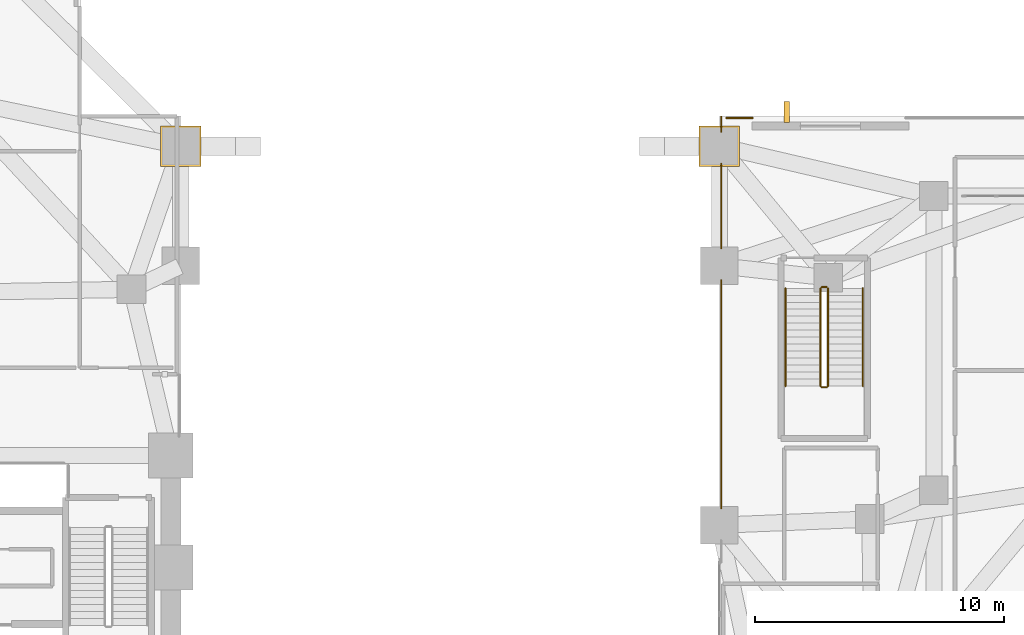
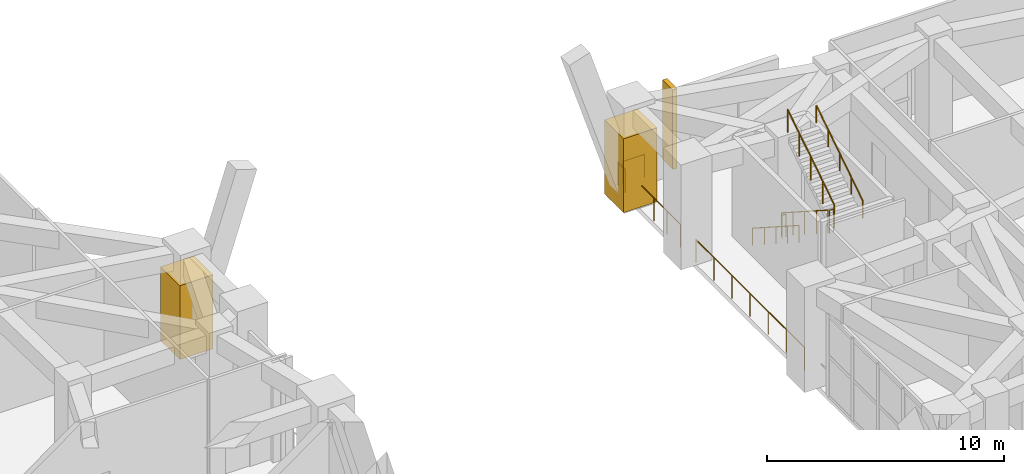
# One storey, part 16 of 18: 10 railings, 2 coverings, 1 shading device.
"""IFC4 building model written with IfcOpenShell, lengths in metres."""

from ifc_helpers import new_model, si_unit, direction, frame, origin, origin_2d, place, context, subcontext, project, spatial, rectangle, circle, extrude, material, layer, layer_set, type_object, element, save


model = new_model("IFC4")

# Units and contexts
model_context = context("Model", 3, precision=1e-05, world=origin(), true_north=direction((0.0, 1.0)))
body_context = subcontext(model_context, "Body", "Model", "MODEL_VIEW")
ifc_project = project(units=[si_unit("LENGTHUNIT", "METRE"), si_unit("AREAUNIT", "SQUARE_METRE"), si_unit("VOLUMEUNIT", "CUBIC_METRE"), si_unit("PLANEANGLEUNIT", "RADIAN"), si_unit("MASSUNIT", "GRAM", prefix="KILO")], contexts=[model_context])

# Site, building, storey
site_placement = place(None, origin())
site = spatial("IfcSite", under=ifc_project, at=site_placement, CompositionType="ELEMENT")
building_placement = place(site_placement, origin())
building = spatial("IfcBuilding", under=site, at=building_placement, Name="Gaonmaruhae Medical Tower", CompositionType="ELEMENT")
storey_placement = place(building_placement, frame((0.0, 0.0, 5.39990234375)))
storey = spatial("IfcBuildingStorey", under=building, at=storey_placement, Name="L01", CompositionType="ELEMENT", Elevation=5.39990234375)

# Coverings
ifc_material_1 = material(Name="Architectural precast column cladding", Category="concrete")
ifc_layer_1 = layer(ifc_material_1, 0.06005859375)
ifc_layer_set_1 = layer_set([ifc_layer_1], Name="Architectural precast column cladding")
covering_type = type_object("IfcCoveringType", Name="CLD-01 Architectural Precast Pier Cladding", PredefinedType="CLADDING", material=ifc_layer_set_1)
for number, where, z_axis, x_axis, name in (
    (1, (36.0, 29.199951171875, 0.10009765625), (0.0, 0.0, 1.0), (1.0, 0.0, 0.0), "L01 Architectural Precast Column Cladding 3"),
    (2, (57.60009765625, 29.199951171875, 0.10009765625), (0.0, 0.0, 1.0), (1.0, 0.0, 0.0), "L01 Architectural Precast Column Cladding 4"),
):
    element("IfcCovering", number, at=place(storey_placement, frame(where, z_axis=z_axis, x_axis=x_axis)), inside=storey, type_object=covering_type, Name=name, PredefinedType="CLADDING", context=body_context, shape_type="SweptSolid", body=[
        extrude(rectangle(XDim=1.6201171875, YDim=1.6201171875, at=origin_2d()), origin(), (0.0, 0.0, 1.0), 3.800048828125),
    ])

# Railings
ifc_material_2 = material(Name="Stainless steel 316L and laminated safety glass", Category="steel")
ifc_layer_2 = layer(ifc_material_2, 0.080078125)
ifc_layer_set_2 = layer_set([ifc_layer_2], Name="Stainless steel 316L and laminated safety glass")
railing_type_1 = type_object("IfcRailingType", Name="GD-120 Outdoor Terrace Safety Glass & Steel Balustrade", PredefinedType="BALUSTRADE", material=ifc_layer_set_2)
railing_1_placement = place(storey_placement, frame((57.669921875, 14.67041015625, 0.0)))
element("IfcRailing", 3, at=railing_1_placement, inside=storey, type_object=railing_type_1, Name="L01 Perimeter Slab Edge Safety Balustrade 34", PredefinedType="BALUSTRADE", context=body_context, shape_type="SweptSolid", body=[
    extrude(circle(Radius=0.02392578125, at=origin_2d()), frame((0.0, 0.0, 1.17578125), z_axis=(0.0, 1.0, 0.0), x_axis=(-1.0, 0.0, 0.0)), (0.0, 0.0, 1.0), 9.154052734375),
    extrude(circle(Radius=0.02099609375, at=origin_2d()), origin(), (0.0, 0.0, 1.0), 1.15185546875),
    extrude(circle(Radius=0.02099609375, at=origin_2d()), frame((0.0, 1.525634765625, 0.0)), (0.0, 0.0, 1.0), 1.15185546875),
    extrude(circle(Radius=0.02099609375, at=origin_2d()), frame((0.0, 3.05126953125, 0.0)), (0.0, 0.0, 1.0), 1.15185546875),
    extrude(circle(Radius=0.02099609375, at=origin_2d()), frame((0.0, 4.5771484375, 0.0)), (0.0, 0.0, 1.0), 1.15185546875),
    extrude(circle(Radius=0.02099609375, at=origin_2d()), frame((0.0, 6.102783203125, 0.0)), (0.0, 0.0, 1.0), 1.15185546875),
    extrude(circle(Radius=0.02099609375, at=origin_2d()), frame((0.0, 7.62841796875, 0.0)), (0.0, 0.0, 1.0), 1.15185546875),
    extrude(circle(Radius=0.02099609375, at=origin_2d()), frame((0.0, 9.154052734375, 0.0)), (0.0, 0.0, 1.0), 1.15185546875),
])
railing_2_placement = place(storey_placement, frame((57.669921875, 25.103515625, 0.0)))
element("IfcRailing", 4, at=railing_2_placement, inside=storey, type_object=railing_type_1, Name="L01 Perimeter Slab Edge Safety Balustrade 35", PredefinedType="BALUSTRADE", context=body_context, shape_type="SweptSolid", body=[
    extrude(circle(Radius=0.02392578125, at=origin_2d()), frame((0.0, 0.0, 1.17578125), z_axis=(0.0, 1.0, 0.0), x_axis=(-1.0, 0.0, 0.0)), (0.0, 0.0, 1.0), 3.397705078125),
    extrude(circle(Radius=0.02099609375, at=origin_2d()), origin(), (0.0, 0.0, 1.0), 1.15185546875),
    extrude(circle(Radius=0.02099609375, at=origin_2d()), frame((0.0, 1.132568359375, 0.0)), (0.0, 0.0, 1.0), 1.15185546875),
    extrude(circle(Radius=0.02099609375, at=origin_2d()), frame((0.0, 2.26513671875, 0.0)), (0.0, 0.0, 1.0), 1.15185546875),
    extrude(circle(Radius=0.02099609375, at=origin_2d()), frame((0.0, 3.397705078125, 0.0)), (0.0, 0.0, 1.0), 1.15185546875),
])
railing_3_placement = place(storey_placement, frame((57.669921875, 29.780517578125, 0.0)))
element("IfcRailing", 5, at=railing_3_placement, inside=storey, type_object=railing_type_1, Name="L01 Perimeter Slab Edge Safety Balustrade 36", PredefinedType="BALUSTRADE", context=body_context, shape_type="SweptSolid", body=[
    extrude(circle(Radius=0.02392578125, at=origin_2d()), frame((0.0, 0.0, 1.17578125), z_axis=(0.0, 1.0, 0.0), x_axis=(-1.0, 0.0, 0.0)), (0.0, 0.0, 1.0), 0.599365234375),
    extrude(circle(Radius=0.02099609375, at=origin_2d()), origin(), (0.0, 0.0, 1.0), 1.15185546875),
    extrude(circle(Radius=0.02099609375, at=origin_2d()), frame((0.0, 0.599365234375, 0.0)), (0.0, 0.0, 1.0), 1.15185546875),
])
railing_4_placement = place(storey_placement, frame((57.879150390625, 30.330078125, 0.0)))
element("IfcRailing", 6, at=railing_4_placement, inside=storey, type_object=railing_type_1, Name="L01 Perimeter Slab Edge Safety Balustrade 37", PredefinedType="BALUSTRADE", context=body_context, shape_type="SweptSolid", body=[
    extrude(circle(Radius=0.02392578125, at=origin_2d()), frame((0.0, 0.0, 1.17578125), z_axis=(1.0, 0.0, 0.0), x_axis=(0.0, 1.0, 0.0)), (0.0, 0.0, 1.0), 1.0576171875),
    extrude(circle(Radius=0.02099609375, at=origin_2d()), origin(), (0.0, 0.0, 1.0), 1.15185546875),
    extrude(circle(Radius=0.02099609375, at=origin_2d()), frame((1.0576171875, 0.0, 0.0)), (0.0, 0.0, 1.0), 1.15185546875),
])
ifc_material_3 = material(Name="Stainless steel 304 handrail", Category="steel")
railing_type_2 = type_object("IfcRailingType", Name="HR-092 Continuous Stainless Steel Stair Handrail", PredefinedType="HANDRAIL", material=ifc_material_3)
railing_5_placement = place(storey_placement, frame((60.25, 23.5, 0.18017578125)))
element("IfcRailing", 7, at=railing_5_placement, inside=storey, type_object=railing_type_2, Name="L01 ST-04 stair handrail 1", PredefinedType="HANDRAIL", context=body_context, shape_type="SweptSolid", body=[
    extrude(circle(Radius=0.02392578125, at=origin_2d()), frame((0.0, 0.0, 0.8759765625), z_axis=(0.0, -0.841171666519, 0.540768182723), x_axis=(1.0, 0.0, 0.0)), (0.0, 0.0, 1.0), 4.66015625),
    extrude(circle(Radius=0.02099609375, at=origin_2d()), origin(), (0.0, 0.0, 1.0), 0.851806640625),
    extrude(circle(Radius=0.02099609375, at=origin_2d()), frame((0.0, -0.97998046875, 0.6298828125)), (0.0, 0.0, 1.0), 0.851806640625),
    extrude(circle(Radius=0.02099609375, at=origin_2d()), frame((0.0, -1.9599609375, 1.260009765625)), (0.0, 0.0, 1.0), 0.851806640625),
    extrude(circle(Radius=0.02099609375, at=origin_2d()), frame((0.0, -2.93994140625, 1.89013671875)), (0.0, 0.0, 1.0), 0.851806640625),
    extrude(circle(Radius=0.02099609375, at=origin_2d()), frame((0.0, -3.919921875, 2.52001953125)), (0.0, 0.0, 1.0), 0.851806640625),
])
railing_6_placement = place(storey_placement, frame((63.35009765625, 19.580078125, 2.880126953125)))
element("IfcRailing", 8, at=railing_6_placement, inside=storey, type_object=railing_type_2, Name="L01 ST-04 stair handrail 2", PredefinedType="HANDRAIL", context=body_context, shape_type="SweptSolid", body=[
    extrude(circle(Radius=0.02392578125, at=origin_2d()), frame((0.0, 0.0, 0.8759765625), z_axis=(0.0, 0.841171666519, 0.540768182723), x_axis=(-1.0, 0.0, 0.0)), (0.0, 0.0, 1.0), 4.66015625),
    extrude(circle(Radius=0.02099609375, at=origin_2d()), origin(), (0.0, 0.0, 1.0), 0.851806640625),
    extrude(circle(Radius=0.02099609375, at=origin_2d()), frame((0.0, 0.97998046875, 0.6298828125)), (0.0, 0.0, 1.0), 0.851806640625),
    extrude(circle(Radius=0.02099609375, at=origin_2d()), frame((0.0, 1.9599609375, 1.260009765625)), (0.0, 0.0, 1.0), 0.851806640625),
    extrude(circle(Radius=0.02099609375, at=origin_2d()), frame((0.0, 2.93994140625, 1.89013671875)), (0.0, 0.0, 1.0), 0.851806640625),
    extrude(circle(Radius=0.02099609375, at=origin_2d()), frame((0.0, 3.919921875, 2.52001953125)), (0.0, 0.0, 1.0), 0.851806640625),
])

# Shading device
ifc_material_4 = material(Name="Pigmented coral precast concrete C45/55", Category="concrete")
shading_device_type = type_object("IfcShadingDeviceType", Name="SD-FIN2 Podium Vertical Coral Precast Shading Fin", PredefinedType="USERDEFINED", material=ifc_material_4)
shading_device_placement = place(storey_placement, frame((60.300048828125, 30.56494140625, 0.06494140625), z_axis=(0.0, 0.0, 1.0), x_axis=(1.0, 0.0, 0.0)))
element("IfcShadingDevice", 9, at=shading_device_placement, inside=storey, type_object=shading_device_type, Name="L01 Podium Coral Precast Shading Fin PB-N1", ObjectType="FIN", PredefinedType="USERDEFINED", context=body_context, shape_type="SweptSolid", body=[
    extrude(rectangle(XDim=0.219970703125, YDim=0.85009765625, at=origin_2d()), origin(), (0.0, 0.0, 1.0), 4.10009765625),
])

# Railings
ifc_material_5 = material(Name="Stainless steel 304 balustrade", Category="steel")
railing_type_3 = type_object("IfcRailingType", Name="SG-112 Stair Well & Ramp Void Safety Balustrade", PredefinedType="BALUSTRADE", material=ifc_material_5)
railing_7_placement = place(storey_placement, frame((61.64990234375, 23.5, 0.18017578125)))
element("IfcRailing", 10, at=railing_7_placement, inside=storey, type_object=railing_type_3, Name="L01 ST-04 stair guard 1", PredefinedType="BALUSTRADE", context=body_context, shape_type="SweptSolid", body=[
    extrude(circle(Radius=0.02392578125, at=origin_2d()), frame((0.0, 0.0, 1.17578125), z_axis=(0.0, -0.841171666519, 0.540768182723), x_axis=(1.0, 0.0, 0.0)), (0.0, 0.0, 1.0), 4.66015625),
    extrude(circle(Radius=0.02099609375, at=origin_2d()), origin(), (0.0, 0.0, 1.0), 1.15185546875),
    extrude(circle(Radius=0.02099609375, at=origin_2d()), frame((0.0, -0.97998046875, 0.6298828125)), (0.0, 0.0, 1.0), 1.15185546875),
    extrude(circle(Radius=0.02099609375, at=origin_2d()), frame((0.0, -1.9599609375, 1.260009765625)), (0.0, 0.0, 1.0), 1.15185546875),
    extrude(circle(Radius=0.02099609375, at=origin_2d()), frame((0.0, -2.93994140625, 1.89013671875)), (0.0, 0.0, 1.0), 1.15185546875),
    extrude(circle(Radius=0.02099609375, at=origin_2d()), frame((0.0, -3.919921875, 2.52001953125)), (0.0, 0.0, 1.0), 1.15185546875),
])
railing_8_placement = place(storey_placement, frame((61.699951171875, 19.530029296875, 2.7001953125)))
element("IfcRailing", 11, at=railing_8_placement, inside=storey, type_object=railing_type_3, Name="L01 ST-04 stair guard 2", PredefinedType="BALUSTRADE", context=body_context, shape_type="SweptSolid", body=[
    extrude(circle(Radius=0.02392578125, at=origin_2d()), frame((0.0, 0.0, 1.17578125), z_axis=(1.0, 0.0, 0.0), x_axis=(0.0, 1.0, 0.0)), (0.0, 0.0, 1.0), 0.199951171875),
    extrude(circle(Radius=0.02099609375, at=origin_2d()), origin(), (0.0, 0.0, 1.0), 1.15185546875),
    extrude(circle(Radius=0.02099609375, at=origin_2d()), frame((0.199951171875, 0.0, 0.0)), (0.0, 0.0, 1.0), 1.15185546875),
])
railing_9_placement = place(storey_placement, frame((61.949951171875, 19.580078125, 2.880126953125)))
element("IfcRailing", 12, at=railing_9_placement, inside=storey, type_object=railing_type_3, Name="L01 ST-04 stair guard 3", PredefinedType="BALUSTRADE", context=body_context, shape_type="SweptSolid", body=[
    extrude(circle(Radius=0.02392578125, at=origin_2d()), frame((0.0, 0.0, 1.17578125), z_axis=(0.0, 0.841171666519, 0.540768182723), x_axis=(-1.0, 0.0, 0.0)), (0.0, 0.0, 1.0), 4.66015625),
    extrude(circle(Radius=0.02099609375, at=origin_2d()), origin(), (0.0, 0.0, 1.0), 1.15185546875),
    extrude(circle(Radius=0.02099609375, at=origin_2d()), frame((0.0, 0.97998046875, 0.6298828125)), (0.0, 0.0, 1.0), 1.15185546875),
    extrude(circle(Radius=0.02099609375, at=origin_2d()), frame((0.0, 1.9599609375, 1.260009765625)), (0.0, 0.0, 1.0), 1.15185546875),
    extrude(circle(Radius=0.02099609375, at=origin_2d()), frame((0.0, 2.93994140625, 1.89013671875)), (0.0, 0.0, 1.0), 1.15185546875),
    extrude(circle(Radius=0.02099609375, at=origin_2d()), frame((0.0, 3.919921875, 2.52001953125)), (0.0, 0.0, 1.0), 1.15185546875),
])
railing_10_placement = place(storey_placement, frame((61.699951171875, 23.550048828125, 0.0)))
element("IfcRailing", 13, at=railing_10_placement, inside=storey, type_object=railing_type_3, Name="L01 ST-04 stair guard 4", PredefinedType="BALUSTRADE", context=body_context, shape_type="SweptSolid", body=[
    extrude(circle(Radius=0.02392578125, at=origin_2d()), frame((0.0, 0.0, 1.17578125), z_axis=(1.0, 0.0, 0.0), x_axis=(0.0, 1.0, 0.0)), (0.0, 0.0, 1.0), 0.199951171875),
    extrude(circle(Radius=0.02099609375, at=origin_2d()), origin(), (0.0, 0.0, 1.0), 1.15185546875),
    extrude(circle(Radius=0.02099609375, at=origin_2d()), frame((0.199951171875, 0.0, 0.0)), (0.0, 0.0, 1.0), 1.15185546875),
])

save(model, "model.ifc")
